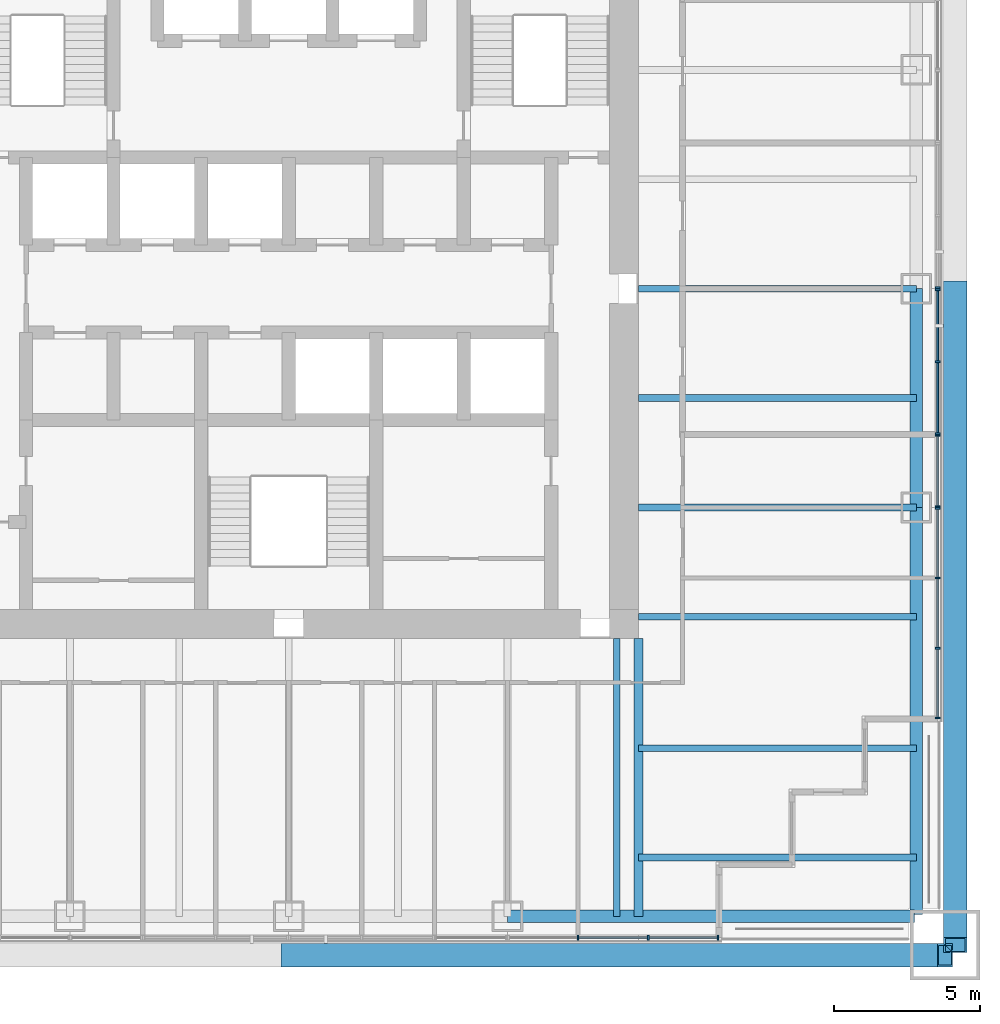
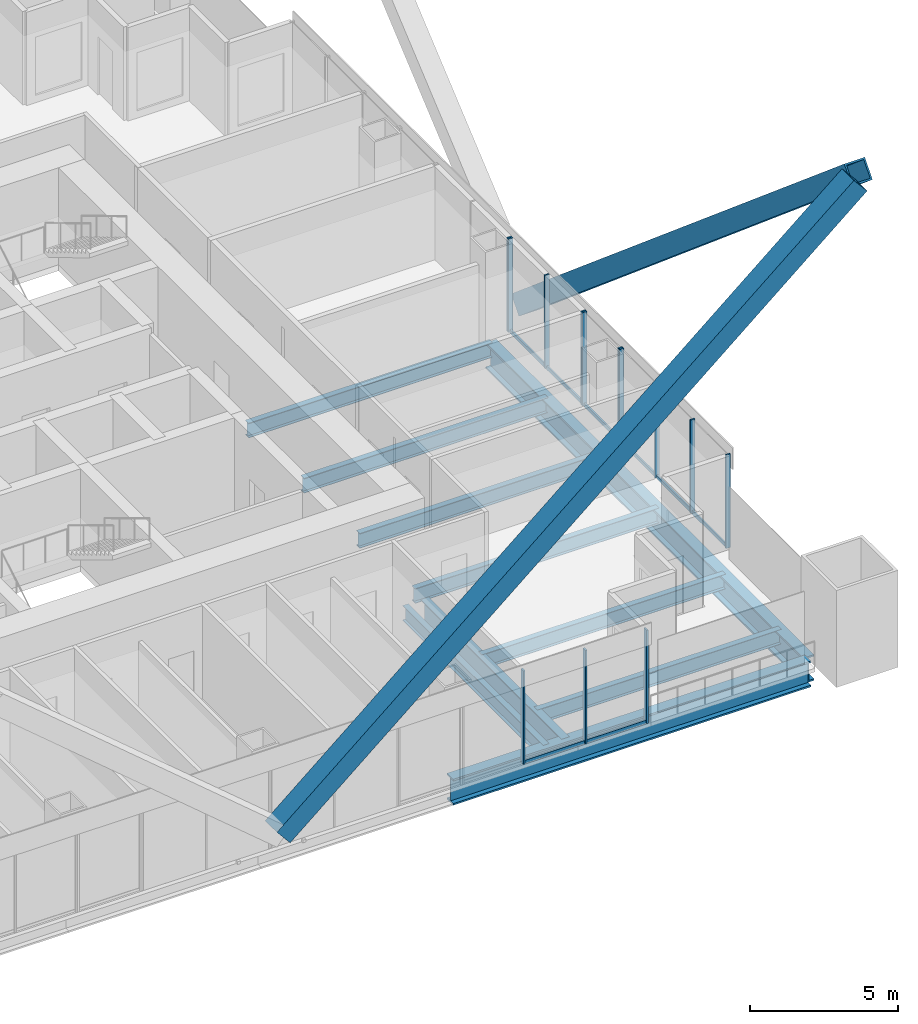
# One storey, part 5 of 17: 23 members, 11 beams, 5 elements without a shape of their own.
"""IFC4 building model written with IfcOpenShell, lengths in metres."""

from ifc_helpers import new_model, si_unit, direction, frame, origin, origin_2d, place, context, subcontext, project, spatial, rectangle, hollow_rectangle, i_section, extrude, material, material_profile, profile_set, type_object, element, aggregate, save


model = new_model("IFC4")

# Units and contexts
model_context = context("Model", 3, precision=1e-05, world=origin(), true_north=direction((0.0, 1.0)))
body_context = subcontext(model_context, "Body", "Model", "MODEL_VIEW")
ifc_project = project(units=[si_unit("LENGTHUNIT", "METRE"), si_unit("AREAUNIT", "SQUARE_METRE"), si_unit("VOLUMEUNIT", "CUBIC_METRE"), si_unit("PLANEANGLEUNIT", "RADIAN"), si_unit("MASSUNIT", "GRAM", prefix="KILO")], contexts=[model_context])

# Site, building, storey
site_placement = place(None, origin())
site = spatial("IfcSite", under=ifc_project, at=site_placement, CompositionType="ELEMENT")
building_placement = place(site_placement, origin())
building = spatial("IfcBuilding", under=site, at=building_placement, Name="Tarangal Relay Tower", CompositionType="ELEMENT")
storey_placement = place(building_placement, frame((0.0, 0.0, 233.89990234375)))
storey = spatial("IfcBuildingStorey", under=building, at=storey_placement, Name="L50", CompositionType="ELEMENT", Elevation=233.89990234375)

# Beams
ifc_material_1 = material(Name="Steel ASTM A992", Category="steel")
ifc_material_profile_1 = material_profile(ifc_material_1, i_section(OverallWidth=0.227783203125, OverallDepth=0.60205078125, WebThickness=0.010498046875, FlangeThickness=0.014892578125, at=origin_2d()), Name="W24X68")
ifc_profile_set_1 = profile_set([ifc_material_profile_1], Name="Steel ASTM A992")
beam_type_1 = type_object("IfcBeamType", Name="Corner beam W24X68", PredefinedType="JOIST", material=ifc_profile_set_1)
for number, where, z_axis, x_axis, name in (
    (1, (12.0, -15.75, -0.450927734375), (1.0, 0.0, 0.0), (0.0, 1.0, 0.0), "Corner beam CB11 E L50"),
    (2, (12.0, -19.5, -0.450927734375), (1.0, 0.0, 0.0), (0.0, 1.0, 0.0), "Corner beam CB11 E L50"),
):
    element("IfcBeam", number, at=place(storey_placement, frame(where, z_axis=z_axis, x_axis=x_axis)), inside=storey, type_object=beam_type_1, Name=name, PredefinedType="JOIST", context=body_context, shape_type="SweptSolid", body=[
        extrude(i_section(OverallWidth=0.227783203125, OverallDepth=0.60205078125, WebThickness=0.010498046875, FlangeThickness=0.014892578125, at=origin_2d()), origin(), (0.0, 0.0, 1.0), 9.514892578125),
    ])
ifc_material_profile_2 = material_profile(ifc_material_1, i_section(OverallWidth=0.307373046875, OverallDepth=0.9423828125, WebThickness=0.022216796875, FlangeThickness=0.039794921875, at=origin_2d()), Name="W36X232")
ifc_profile_set_2 = profile_set([ifc_material_profile_2], Name="Steel ASTM A992")
beam_type_2 = type_object("IfcBeamType", Name="Corner girder W36X232", PredefinedType="BEAM", material=ifc_profile_set_2)
beam_1_placement = place(storey_placement, frame((12.0, -12.0, -0.62109375), z_axis=(0.0, -1.0, 0.0), x_axis=(1.0, 0.0, 0.0)))
element("IfcBeam", 3, at=beam_1_placement, inside=storey, type_object=beam_type_2, Name="Corner girder CG4 E L50", PredefinedType="BEAM", context=body_context, shape_type="SweptSolid", body=[
    extrude(i_section(OverallWidth=0.307373046875, OverallDepth=0.9423828125, WebThickness=0.022216796875, FlangeThickness=0.039794921875, at=origin_2d()), origin(), (0.0, 0.0, 1.0), 9.514892578125),
])
ifc_material_profile_3 = material_profile(ifc_material_1, i_section(OverallWidth=0.41650390625, OverallDepth=1.0693359375, WebThickness=0.0390625, FlangeThickness=0.070068359375, at=origin_2d()), Name="W40X503")
ifc_profile_set_3 = profile_set([ifc_material_profile_3], Name="Steel ASTM A992")
beam_type_3 = type_object("IfcBeamType", Name="Edge girder W40X503", PredefinedType="SPANDREL", material=ifc_profile_set_3)
beam_2_placement = place(storey_placement, frame((21.514892578125, 0.0, -0.6845703125), z_axis=(0.0, -1.0, 0.0), x_axis=(1.0, 0.0, 0.0)))
element("IfcBeam", 4, at=beam_2_placement, inside=storey, type_object=beam_type_3, Name="Edge girder EG8 E L50", PredefinedType="SPANDREL", context=body_context, shape_type="SweptSolid", body=[
    extrude(i_section(OverallWidth=0.41650390625, OverallDepth=1.0693359375, WebThickness=0.0390625, FlangeThickness=0.070068359375, at=origin_2d()), origin(), (0.0, 0.0, 1.0), 7.5),
])
for number, where, z_axis, x_axis, name in (
    (5, (21.514892578125, -7.5, -0.6845703125), (0.0, -1.0, 0.0), (1.0, 0.0, 0.0), "Edge girder EG8 E L50"),
    (6, (21.449951171875, -21.514892578125, -0.6845703125), (-1.0, 0.0, 0.0), (0.0, -1.0, 0.0), "Edge girder EG8 S L50"),
):
    element("IfcBeam", number, at=place(storey_placement, frame(where, z_axis=z_axis, x_axis=x_axis)), inside=storey, type_object=beam_type_3, Name=name, PredefinedType="SPANDREL", context=body_context, shape_type="SweptSolid", body=[
        extrude(i_section(OverallWidth=0.41650390625, OverallDepth=1.0693359375, WebThickness=0.0390625, FlangeThickness=0.070068359375, at=origin_2d()), origin(), (0.0, 0.0, 1.0), 13.949951171875),
    ])
ifc_material_profile_4 = material_profile(ifc_material_1, i_section(OverallWidth=0.22900390625, OverallDepth=0.612060546875, WebThickness=0.011962890625, FlangeThickness=0.01953125, at=origin_2d()), Name="W24X84")
ifc_profile_set_4 = profile_set([ifc_material_profile_4], Name="Steel ASTM A992")
beam_type_4 = type_object("IfcBeamType", Name="Floor beam W24X84", PredefinedType="BEAM", material=ifc_profile_set_4)
for number, where, z_axis, x_axis, name in (
    (7, (12.0, 0.0, -0.455810546875), (1.0, 0.0, 0.0), (0.0, 1.0, 0.0), "Floor beam RB12 E L50"),
    (8, (12.0, -3.75, -0.455810546875), (1.0, 0.0, 0.0), (0.0, 1.0, 0.0), "Floor beam RB12 E L50"),
    (9, (12.0, -7.5, -0.455810546875), (1.0, 0.0, 0.0), (0.0, 1.0, 0.0), "Floor beam RB12 E L50"),
    (10, (12.0, -11.25, -0.455810546875), (1.0, 0.0, 0.0), (0.0, 1.0, 0.0), "Floor beam RB12 E L50"),
    (11, (11.25, -12.0, -0.455810546875), (0.0, -1.0, 0.0), (1.0, 0.0, 0.0), "Floor beam RB12 S L50"),
):
    element("IfcBeam", number, at=place(storey_placement, frame(where, z_axis=z_axis, x_axis=x_axis)), inside=storey, type_object=beam_type_4, Name=name, PredefinedType="BEAM", context=body_context, shape_type="SweptSolid", body=[
        extrude(i_section(OverallWidth=0.22900390625, OverallDepth=0.612060546875, WebThickness=0.011962890625, FlangeThickness=0.01953125, at=origin_2d()), origin(), (0.0, 0.0, 1.0), 9.514892578125),
    ])

# Members
ifc_material_2 = material(Name="Steel ASTM A572 Grade 50", Category="steel")
ifc_material_profile_5 = material_profile(ifc_material_2, hollow_rectangle(XDim=0.800048828125, YDim=0.800048828125, WallThickness=0.06494140625, at=origin_2d()), Name="BOX800X800X65")
ifc_profile_set_5 = profile_set([ifc_material_profile_5], Name="Steel ASTM A572 Grade 50")
member_type_1 = type_object("IfcMemberType", Name="Mega brace BOX800X800X65", PredefinedType="BRACE", material=ifc_profile_set_5)
for number, where, z_axis, x_axis, name in (
    (12, (22.85009765625, 0.0, 1.0), (0.0, -0.764029915847, 0.645180817826), (1.0, 0.0, 0.0), "Mega brace MB3 E face module 2"),
    (13, (0.0, -22.85009765625, 1.0), (0.764029915847, 0.0, 0.645180817826), (0.0, 1.0, 0.0), "Mega brace MB3 S face module 2"),
):
    element("IfcMember", number, at=place(storey_placement, frame(where, z_axis=z_axis, x_axis=x_axis)), inside=storey, type_object=member_type_1, Name=name, PredefinedType="BRACE", context=body_context, shape_type="SweptSolid", body=[
        extrude(hollow_rectangle(XDim=0.800048828125, YDim=0.800048828125, WallThickness=0.06494140625, at=origin_2d()), origin(), (0.0, 0.0, 1.0), 29.44921875),
    ])

# Curtain wall, members
ifc_material_3 = material(Name="Unitised curtain wall, dark glass and black aluminium", Category="aluminium")
curtain_wall_type_1 = type_object("IfcCurtainWallType", Name="Curtain wall CW-A", PredefinedType="USERDEFINED", material=ifc_material_3)
curtain_wall_1_placement = place(storey_placement, origin())
curtain_wall_1 = element("IfcCurtainWall", 14, at=curtain_wall_1_placement, inside=storey, type_object=curtain_wall_type_1, Name="Curtain wall CW-A E facade L50", ObjectType="UNITISED CURTAIN WALL", PredefinedType="USERDEFINED")
ifc_material_4 = material(Name="Black anodised aluminium mullion", Category="aluminium")
ifc_material_profile_6 = material_profile(ifc_material_4, rectangle(XDim=0.175048828125, YDim=0.06494140625, at=origin_2d()), Name="CW-AM 65X175")
ifc_profile_set_6 = profile_set([ifc_material_profile_6], Name="Black anodised aluminium mullion")
member_type_2 = type_object("IfcMemberType", Name="Mullion CW-A 65 x 175", PredefinedType="MULLION", material=ifc_profile_set_6)
member_1_placement = place(storey_placement, frame((22.25, -5.032470703125, 0.0), z_axis=(0.0, 0.0, 1.0), x_axis=(1.0, 0.0, 0.0)))
member_1 = element("IfcMember", 15, at=member_1_placement, type_object=member_type_2, Name="CW-A mullion 1", PredefinedType="MULLION", context=body_context, shape_type="SweptSolid", body=[
    extrude(rectangle(XDim=0.175048828125, YDim=0.06494140625, at=origin_2d()), origin(), (0.0, 0.0, 1.0), 3.85009765625),
])
member_2_placement = place(storey_placement, frame((22.25, -7.467529296875, 0.0), z_axis=(0.0, 0.0, 1.0), x_axis=(1.0, 0.0, 0.0)))
member_2 = element("IfcMember", 16, at=member_2_placement, type_object=member_type_2, Name="CW-A mullion 2", PredefinedType="MULLION", context=body_context, shape_type="SweptSolid", body=[
    extrude(rectangle(XDim=0.175048828125, YDim=0.06494140625, at=origin_2d()), origin(), (0.0, 0.0, 1.0), 3.85009765625),
])

curtain_wall_2_placement = place(storey_placement, origin())
curtain_wall_2 = element("IfcCurtainWall", 17, at=curtain_wall_2_placement, inside=storey, type_object=curtain_wall_type_1, Name="Curtain wall CW-A E facade L50", ObjectType="UNITISED CURTAIN WALL", PredefinedType="USERDEFINED")
member_3_placement = place(storey_placement, frame((22.25, -7.532470703125, 0.0), z_axis=(0.0, 0.0, 1.0), x_axis=(1.0, 0.0, 0.0)))
member_3 = element("IfcMember", 18, at=member_3_placement, type_object=member_type_2, Name="CW-A mullion 1", PredefinedType="MULLION", context=body_context, shape_type="SweptSolid", body=[
    extrude(rectangle(XDim=0.175048828125, YDim=0.06494140625, at=origin_2d()), origin(), (0.0, 0.0, 1.0), 3.85009765625),
])
member_4_placement = place(storey_placement, frame((22.25, -9.916748046875, 0.0), z_axis=(0.0, 0.0, 1.0), x_axis=(1.0, 0.0, 0.0)))
member_4 = element("IfcMember", 19, at=member_4_placement, type_object=member_type_2, Name="CW-A mullion 2", PredefinedType="MULLION", context=body_context, shape_type="SweptSolid", body=[
    extrude(rectangle(XDim=0.175048828125, YDim=0.06494140625, at=origin_2d()), origin(), (0.0, 0.0, 1.0), 3.85009765625),
])
member_5_placement = place(storey_placement, frame((22.25, -12.333251953125, 0.0), z_axis=(0.0, 0.0, 1.0), x_axis=(1.0, 0.0, 0.0)))
member_5 = element("IfcMember", 20, at=member_5_placement, type_object=member_type_2, Name="CW-A mullion 3", PredefinedType="MULLION", context=body_context, shape_type="SweptSolid", body=[
    extrude(rectangle(XDim=0.175048828125, YDim=0.06494140625, at=origin_2d()), origin(), (0.0, 0.0, 1.0), 3.85009765625),
])
member_6_placement = place(storey_placement, frame((22.25, -14.717529296875, 0.0), z_axis=(0.0, 0.0, 1.0), x_axis=(1.0, 0.0, 0.0)))
member_6 = element("IfcMember", 21, at=member_6_placement, type_object=member_type_2, Name="CW-A mullion 4", PredefinedType="MULLION", context=body_context, shape_type="SweptSolid", body=[
    extrude(rectangle(XDim=0.175048828125, YDim=0.06494140625, at=origin_2d()), origin(), (0.0, 0.0, 1.0), 3.85009765625),
])

curtain_wall_3_placement = place(storey_placement, origin())
curtain_wall_3 = element("IfcCurtainWall", 22, at=curtain_wall_3_placement, inside=storey, type_object=curtain_wall_type_1, Name="Curtain wall CW-A S facade L50", ObjectType="UNITISED CURTAIN WALL", PredefinedType="USERDEFINED")
member_7_placement = place(storey_placement, frame((14.717529296875, -22.25, 0.0), z_axis=(0.0, 0.0, 1.0), x_axis=(0.0, -1.0, 0.0)))
member_7 = element("IfcMember", 23, at=member_7_placement, type_object=member_type_2, Name="CW-A mullion 1", PredefinedType="MULLION", context=body_context, shape_type="SweptSolid", body=[
    extrude(rectangle(XDim=0.175048828125, YDim=0.06494140625, at=origin_2d()), origin(), (0.0, 0.0, 1.0), 3.85009765625),
])
member_8_placement = place(storey_placement, frame((12.333251953125, -22.25, 0.0), z_axis=(0.0, 0.0, 1.0), x_axis=(0.0, -1.0, 0.0)))
member_8 = element("IfcMember", 24, at=member_8_placement, type_object=member_type_2, Name="CW-A mullion 2", PredefinedType="MULLION", context=body_context, shape_type="SweptSolid", body=[
    extrude(rectangle(XDim=0.175048828125, YDim=0.06494140625, at=origin_2d()), origin(), (0.0, 0.0, 1.0), 3.85009765625),
])
member_9_placement = place(storey_placement, frame((9.916748046875, -22.25, 0.0), z_axis=(0.0, 0.0, 1.0), x_axis=(0.0, -1.0, 0.0)))
member_9 = element("IfcMember", 25, at=member_9_placement, type_object=member_type_2, Name="CW-A mullion 3", PredefinedType="MULLION", context=body_context, shape_type="SweptSolid", body=[
    extrude(rectangle(XDim=0.175048828125, YDim=0.06494140625, at=origin_2d()), origin(), (0.0, 0.0, 1.0), 3.85009765625),
])

# Curtain wall, member
ifc_material_5 = material(Name="Unitised curtain wall frame, black aluminium, with metal clad infill walls", Category="aluminium")
curtain_wall_type_2 = type_object("IfcCurtainWallType", Name="Curtain wall CW-AO", PredefinedType="USERDEFINED", material=ifc_material_5)
curtain_wall_4_placement = place(storey_placement, origin())
curtain_wall_4 = element("IfcCurtainWall", 26, at=curtain_wall_4_placement, inside=storey, type_object=curtain_wall_type_2, Name="Curtain wall CW-AO E facade L50", ObjectType="UNITISED CURTAIN WALL", PredefinedType="USERDEFINED")
ifc_material_profile_7 = material_profile(ifc_material_4, rectangle(XDim=0.175048828125, YDim=0.06494140625, at=origin_2d()), Name="CW-AOM 65X175")
ifc_profile_set_7 = profile_set([ifc_material_profile_7], Name="Black anodised aluminium mullion")
member_type_3 = type_object("IfcMemberType", Name="Mullion CW-AO 65 x 175", PredefinedType="MULLION", material=ifc_profile_set_7)
member_10_placement = place(storey_placement, frame((22.25, 0.032470703125, 0.0), z_axis=(0.0, 0.0, 1.0), x_axis=(1.0, 0.0, 0.0)))
member_10 = element("IfcMember", 27, at=member_10_placement, type_object=member_type_3, Name="CW-AO mullion 3", PredefinedType="MULLION", context=body_context, shape_type="SweptSolid", body=[
    extrude(rectangle(XDim=0.175048828125, YDim=0.06494140625, at=origin_2d()), origin(), (0.0, 0.0, 1.0), 3.85009765625),
])
aggregate(curtain_wall_4, [member_10])

# Curtain wall, members
curtain_wall_5_placement = place(storey_placement, origin())
curtain_wall_5 = element("IfcCurtainWall", 28, at=curtain_wall_5_placement, inside=storey, type_object=curtain_wall_type_2, Name="Curtain wall CW-AO E facade L50", ObjectType="UNITISED CURTAIN WALL", PredefinedType="USERDEFINED")
member_11_placement = place(storey_placement, frame((22.25, -0.032470703125, 0.0), z_axis=(0.0, 0.0, 1.0), x_axis=(1.0, 0.0, 0.0)))
member_11 = element("IfcMember", 29, at=member_11_placement, type_object=member_type_3, Name="CW-AO mullion 1", PredefinedType="MULLION", context=body_context, shape_type="SweptSolid", body=[
    extrude(rectangle(XDim=0.175048828125, YDim=0.06494140625, at=origin_2d()), origin(), (0.0, 0.0, 1.0), 3.85009765625),
])
member_12_placement = place(storey_placement, frame((22.25, -2.5, 0.0), z_axis=(0.0, 0.0, 1.0), x_axis=(1.0, 0.0, 0.0)))
member_12 = element("IfcMember", 30, at=member_12_placement, type_object=member_type_3, Name="CW-AO mullion 2", PredefinedType="MULLION", context=body_context, shape_type="SweptSolid", body=[
    extrude(rectangle(XDim=0.175048828125, YDim=0.06494140625, at=origin_2d()), origin(), (0.0, 0.0, 1.0), 3.85009765625),
])
member_13_placement = place(storey_placement, frame((22.25, -4.967529296875, 0.0), z_axis=(0.0, 0.0, 1.0), x_axis=(1.0, 0.0, 0.0)))
member_13 = element("IfcMember", 31, at=member_13_placement, type_object=member_type_3, Name="CW-AO mullion 3", PredefinedType="MULLION", context=body_context, shape_type="SweptSolid", body=[
    extrude(rectangle(XDim=0.175048828125, YDim=0.06494140625, at=origin_2d()), origin(), (0.0, 0.0, 1.0), 3.85009765625),
])

# Member
ifc_material_6 = material(Name="Black anodised aluminium transom", Category="aluminium")
ifc_material_profile_8 = material_profile(ifc_material_6, rectangle(XDim=0.06494140625, YDim=0.14990234375, at=origin_2d()), Name="CW-AT 65X150")
ifc_profile_set_8 = profile_set([ifc_material_profile_8], Name="Black anodised aluminium transom")
member_type_4 = type_object("IfcMemberType", Name="Transom CW-A 65 x 150", PredefinedType="USERDEFINED", material=ifc_profile_set_8)
member_14_placement = place(storey_placement, frame((22.25, -5.06494140625, 0.03271484375), z_axis=(0.0, -1.0, 0.0), x_axis=(1.0, 0.0, 0.0)))
member_14 = element("IfcMember", 32, at=member_14_placement, type_object=member_type_4, Name="CW-A transom 1.1", ObjectType="TRANSOM", PredefinedType="USERDEFINED", context=body_context, shape_type="SweptSolid", body=[
    extrude(rectangle(XDim=0.06494140625, YDim=0.14990234375, at=origin_2d()), origin(), (0.0, 0.0, 1.0), 2.3701171875),
])

aggregate(curtain_wall_1, [member_1, member_2, member_14])

member_15_placement = place(storey_placement, frame((22.25, -7.56494140625, 0.03271484375), z_axis=(0.0, -1.0, 0.0), x_axis=(1.0, 0.0, 0.0)))
member_15 = element("IfcMember", 33, at=member_15_placement, type_object=member_type_4, Name="CW-A transom 1.1", ObjectType="TRANSOM", PredefinedType="USERDEFINED", context=body_context, shape_type="SweptSolid", body=[
    extrude(rectangle(XDim=0.06494140625, YDim=0.14990234375, at=origin_2d()), origin(), (0.0, 0.0, 1.0), 2.3193359375),
])

member_16_placement = place(storey_placement, frame((22.25, -9.94921875, 0.03271484375), z_axis=(0.0, -1.0, 0.0), x_axis=(1.0, 0.0, 0.0)))
member_16 = element("IfcMember", 34, at=member_16_placement, type_object=member_type_4, Name="CW-A transom 2.1", ObjectType="TRANSOM", PredefinedType="USERDEFINED", context=body_context, shape_type="SweptSolid", body=[
    extrude(rectangle(XDim=0.06494140625, YDim=0.14990234375, at=origin_2d()), origin(), (0.0, 0.0, 1.0), 2.3515625),
])

member_17_placement = place(storey_placement, frame((22.25, -12.36572265625, 0.03271484375), z_axis=(0.0, -1.0, 0.0), x_axis=(1.0, 0.0, 0.0)))
member_17 = element("IfcMember", 35, at=member_17_placement, type_object=member_type_4, Name="CW-A transom 3.1", ObjectType="TRANSOM", PredefinedType="USERDEFINED", context=body_context, shape_type="SweptSolid", body=[
    extrude(rectangle(XDim=0.06494140625, YDim=0.14990234375, at=origin_2d()), origin(), (0.0, 0.0, 1.0), 2.3193359375),
])

aggregate(curtain_wall_2, [member_3, member_4, member_5, member_6, member_15, member_16, member_17])

member_18_placement = place(storey_placement, frame((14.68505859375, -22.25, 0.03271484375), z_axis=(-1.0, 0.0, 0.0), x_axis=(0.0, -1.0, 0.0)))
member_18 = element("IfcMember", 36, at=member_18_placement, type_object=member_type_4, Name="CW-A transom 1.1", ObjectType="TRANSOM", PredefinedType="USERDEFINED", context=body_context, shape_type="SweptSolid", body=[
    extrude(rectangle(XDim=0.06494140625, YDim=0.14990234375, at=origin_2d()), origin(), (0.0, 0.0, 1.0), 2.3193359375),
])

member_19_placement = place(storey_placement, frame((12.30078125, -22.25, 0.03271484375), z_axis=(-1.0, 0.0, 0.0), x_axis=(0.0, -1.0, 0.0)))
member_19 = element("IfcMember", 37, at=member_19_placement, type_object=member_type_4, Name="CW-A transom 2.1", ObjectType="TRANSOM", PredefinedType="USERDEFINED", context=body_context, shape_type="SweptSolid", body=[
    extrude(rectangle(XDim=0.06494140625, YDim=0.14990234375, at=origin_2d()), origin(), (0.0, 0.0, 1.0), 2.3515625),
])

aggregate(curtain_wall_3, [member_7, member_8, member_9, member_18, member_19])

ifc_material_profile_9 = material_profile(ifc_material_6, rectangle(XDim=0.06494140625, YDim=0.14990234375, at=origin_2d()), Name="CW-AOT 65X150")
ifc_profile_set_9 = profile_set([ifc_material_profile_9], Name="Black anodised aluminium transom")
member_type_5 = type_object("IfcMemberType", Name="Transom CW-AO 65 x 150", PredefinedType="USERDEFINED", material=ifc_profile_set_9)
member_20_placement = place(storey_placement, frame((22.25, -0.06494140625, 0.03271484375), z_axis=(0.0, -1.0, 0.0), x_axis=(1.0, 0.0, 0.0)))
member_20 = element("IfcMember", 38, at=member_20_placement, type_object=member_type_5, Name="CW-AO transom 1.1", ObjectType="TRANSOM", PredefinedType="USERDEFINED", context=body_context, shape_type="SweptSolid", body=[
    extrude(rectangle(XDim=0.06494140625, YDim=0.14990234375, at=origin_2d()), origin(), (0.0, 0.0, 1.0), 2.402587890625),
])

member_21_placement = place(storey_placement, frame((22.25, -2.532470703125, 0.03271484375), z_axis=(0.0, -1.0, 0.0), x_axis=(1.0, 0.0, 0.0)))
member_21 = element("IfcMember", 39, at=member_21_placement, type_object=member_type_5, Name="CW-AO transom 2.1", ObjectType="TRANSOM", PredefinedType="USERDEFINED", context=body_context, shape_type="SweptSolid", body=[
    extrude(rectangle(XDim=0.06494140625, YDim=0.14990234375, at=origin_2d()), origin(), (0.0, 0.0, 1.0), 2.402587890625),
])

aggregate(curtain_wall_5, [member_11, member_12, member_13, member_20, member_21])

save(model, "model.ifc")
